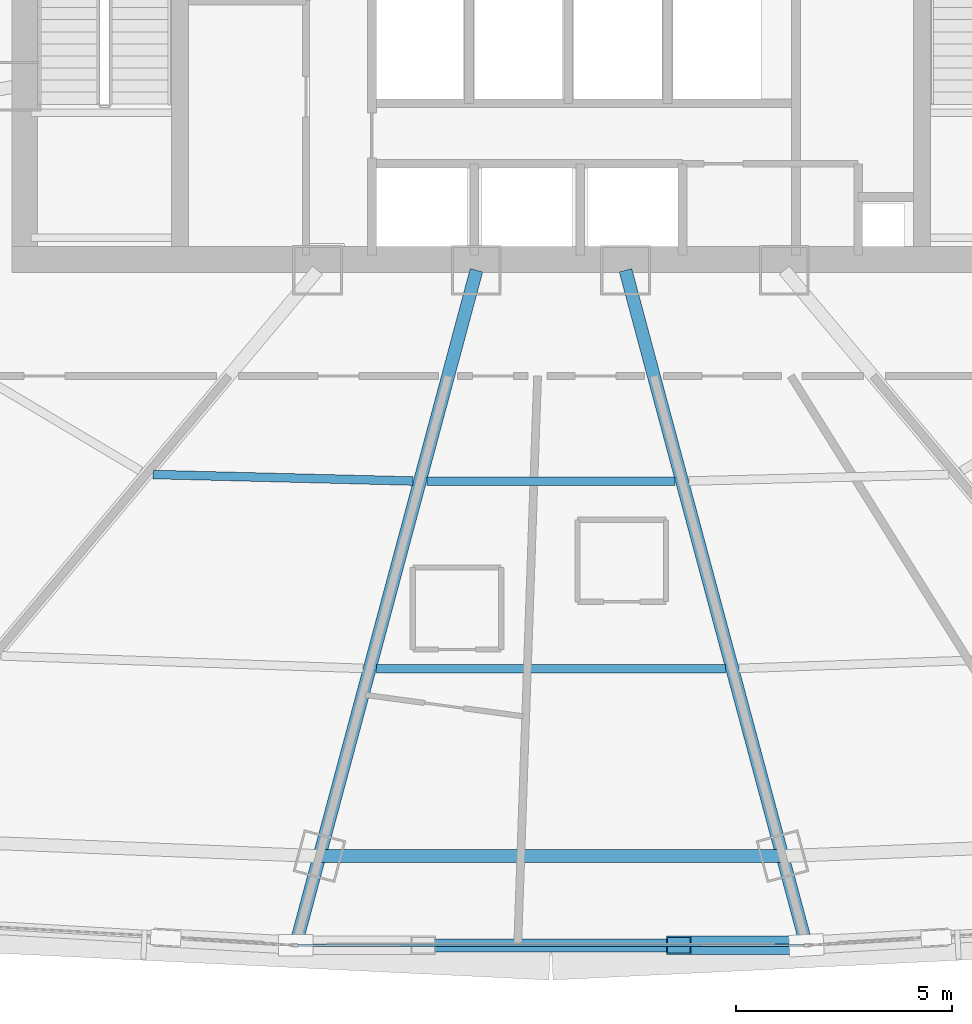
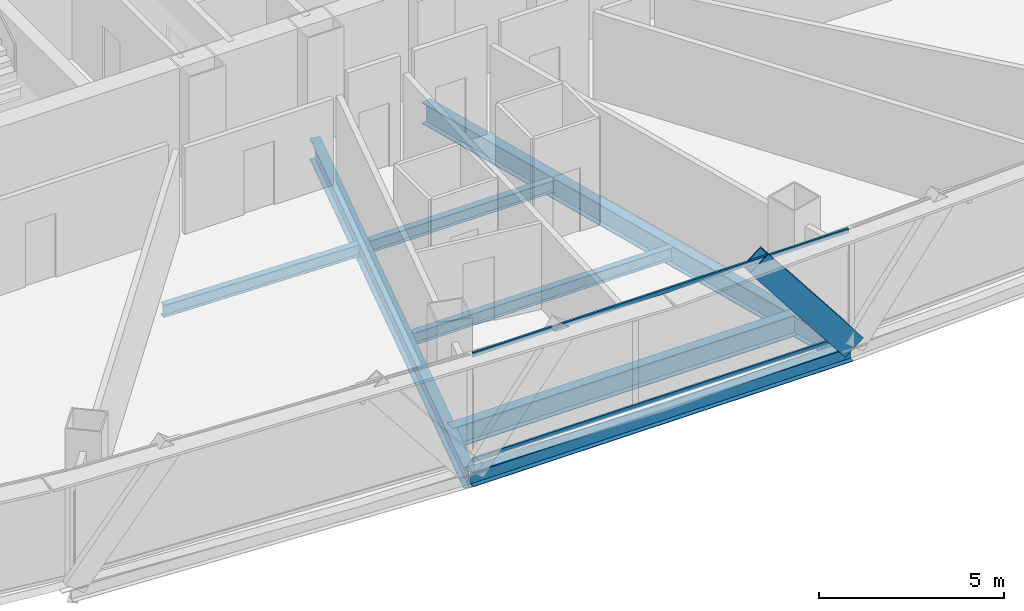
# One storey, part 9 of 38: 7 beams, 3 members, 1 element without a shape of its own.
"""IFC4 building model written with IfcOpenShell, lengths in metres."""

import ifcopenshell
import ifcopenshell.guid

model = None  # the IFC model being written
_history = None  # IfcOwnerHistory: only IFC2X3 demands one
_inside = {}  # id of a spatial element -> (the spatial element, [elements in it])
_under = {}  # id of a project, library or spatial element -> (it, [spatial elements below it])
_declared = {}  # id of a project -> (the project, [libraries it declares])
_typed = {}  # id of a type object -> (the type object, [elements of that type])
_made_of = {}  # id of a material, layer set ... -> (it, [elements and type objects made of it])


def new_model(schema):
    """Start an empty IFC model of exactly this schema.

    Asked for "IFC4X3", IfcOpenShell would pick the latest addendum, in which some entities
    have other attributes; the version numbers below select the first issue.
    IFC2X3 requires an IfcOwnerHistory on every rooted entity: one is made here for all.
    """
    global model, _history
    if schema == "IFC4X3":
        model = ifcopenshell.file(schema_version=(4, 3, 0, 0))
    else:
        model = ifcopenshell.file(schema=schema)
    _inside.clear()
    _under.clear()
    _declared.clear()
    _typed.clear()
    _made_of.clear()
    _history = None
    if model.schema == "IFC2X3":
        org = make("IfcOrganization", Name="unknown")
        user = make(
            "IfcPersonAndOrganization",
            ThePerson=make("IfcPerson", FamilyName="unknown"),
            TheOrganization=org,
        )
        app = make(
            "IfcApplication",
            ApplicationDeveloper=org,
            Version="unknown",
            ApplicationFullName="unknown",
            ApplicationIdentifier="unknown",
        )
        _history = make(
            "IfcOwnerHistory",
            OwningUser=user,
            OwningApplication=app,
            ChangeAction="ADDED",
            CreationDate=0,
        )
    return model


def make(cls, **values):
    """One entity of the class cls with the attributes given. An attribute that is None is left unset."""
    return model.create_entity(
        cls, **{name: value for name, value in values.items() if value is not None}
    )


def rooted(cls, **values):
    """An entity with a GlobalId (a new one), such as an element, a storey or a relation."""
    return make(cls, GlobalId=ifcopenshell.guid.new(), OwnerHistory=_history, **values)


def si_unit(unit_type, name, prefix=None):
    """IfcSIUnit, for example si_unit("LENGTHUNIT", "METRE", prefix="MILLI")."""
    return make("IfcSIUnit", UnitType=unit_type, Prefix=prefix, Name=name)


def assignment(units):
    """IfcUnitAssignment: the units of a project."""
    return None if units is None else make("IfcUnitAssignment", Units=units)


def point(xyz):
    """IfcCartesianPoint."""
    return None if xyz is None else make("IfcCartesianPoint", Coordinates=xyz)


def direction(xyz):
    """IfcDirection."""
    return None if xyz is None else make("IfcDirection", DirectionRatios=xyz)


def frame(location, z_axis=None, x_axis=None):
    """IfcAxis2Placement3D, a coordinate frame: its origin and axes. An axis left out is left unset."""
    return make(
        "IfcAxis2Placement3D",
        Location=point(location),
        Axis=direction(z_axis),
        RefDirection=direction(x_axis),
    )


def frame_2d(location, x_axis=None):
    """IfcAxis2Placement2D, a coordinate frame in the plane: its origin and x axis."""
    return make(
        "IfcAxis2Placement2D", Location=point(location), RefDirection=direction(x_axis)
    )


def origin():
    """The frame at (0, 0, 0) with its axes left unset."""
    return frame((0.0, 0.0, 0.0))


def origin_2d():
    """The frame at (0, 0) in the plane with its x axis left unset."""
    return frame_2d((0.0, 0.0))


def place(relative_to, where):
    """IfcLocalPlacement: puts the frame where relative to a parent placement (None: the world)."""
    return make(
        "IfcLocalPlacement", PlacementRelTo=relative_to, RelativePlacement=where
    )


def context(
    kind, dimensions, precision=None, world=None, true_north=None, identifier=None
):
    """IfcGeometricRepresentationContext, for example the 3D "Model" context."""
    return make(
        "IfcGeometricRepresentationContext",
        ContextIdentifier=identifier,
        ContextType=kind,
        CoordinateSpaceDimension=dimensions,
        Precision=precision,
        WorldCoordinateSystem=world,
        TrueNorth=true_north,
    )


def subcontext(parent, identifier, kind, view, scale=None):
    """IfcGeometricRepresentationSubContext, for example "Body" below "Model"."""
    return make(
        "IfcGeometricRepresentationSubContext",
        ContextIdentifier=identifier,
        ContextType=kind,
        ParentContext=parent,
        TargetScale=scale,
        TargetView=view,
    )


def project(units=None, contexts=None):
    """IfcProject with its units and contexts."""
    return rooted(
        "IfcProject",
        Name="project",
        RepresentationContexts=contexts,
        UnitsInContext=assignment(units),
    )


def spatial(cls, under=None, at=None, **own):
    """A site, building, storey or space (cls), placed at a placement, below another one or the project."""
    s = rooted(cls, ObjectPlacement=at, **own)
    if under is not None:
        _under.setdefault(under.id(), (under, []))[1].append(s)
    return s


def profile(cls, at=None, kind="AREA", **sizes):
    """A parametric profile (cls). Its sizes go by their IFC names, for example OverallWidth=200.0."""
    return make(cls, ProfileType=kind, Position=at, **sizes)


def hollow_rectangle(**sizes):
    """IfcRectangleHollowProfileDef."""
    return profile("IfcRectangleHollowProfileDef", **sizes)


def i_section(**sizes):
    """IfcIShapeProfileDef."""
    return profile("IfcIShapeProfileDef", **sizes)


def extrude(swept, where, along, depth):
    """IfcExtrudedAreaSolid: the profile swept, set in the frame where, extruded along a direction by depth."""
    return make(
        "IfcExtrudedAreaSolid",
        SweptArea=swept,
        Position=where,
        ExtrudedDirection=direction(along),
        Depth=depth,
    )


def shape(context_of_items, identifier, shape_type, items):
    """IfcShapeRepresentation: the items that make up one representation, for example the "Body"."""
    return make(
        "IfcShapeRepresentation",
        ContextOfItems=context_of_items,
        RepresentationIdentifier=identifier,
        RepresentationType=shape_type,
        Items=items,
    )


def source(mapping_origin, context_of_items, identifier, shape_type, items):
    """IfcRepresentationMap: a shape defined once, which mapped items show again and again."""
    return make(
        "IfcRepresentationMap",
        MappingOrigin=mapping_origin,
        MappedRepresentation=shape(context_of_items, identifier, shape_type, items),
    )


def transform(
    local_origin,
    x_axis=None,
    y_axis=None,
    z_axis=None,
    scale=None,
    scale2=None,
    scale3=None,
    uniform=True,
):
    """IfcCartesianTransformationOperator3D, or its non-uniform kind. x_axis, y_axis, z_axis: its Axis1, 2, 3."""
    if uniform:
        return make(
            "IfcCartesianTransformationOperator3D",
            Axis1=direction(x_axis),
            Axis2=direction(y_axis),
            LocalOrigin=point(local_origin),
            Scale=scale,
            Axis3=direction(z_axis),
        )
    return make(
        "IfcCartesianTransformationOperator3DnonUniform",
        Axis1=direction(x_axis),
        Axis2=direction(y_axis),
        LocalOrigin=point(local_origin),
        Scale=scale,
        Axis3=direction(z_axis),
        Scale2=scale2,
        Scale3=scale3,
    )


def mapped(mapping_source, mapping_target):
    """IfcMappedItem: shows the shape of a source again, moved by a transform."""
    return make(
        "IfcMappedItem", MappingSource=mapping_source, MappingTarget=mapping_target
    )


def material(Name=None, Category=None):
    """IfcMaterial."""
    return make("IfcMaterial", Name=Name, Category=Category)


def layer(
    of_material, thickness, ventilated=None, Name=None, Category=None, Priority=None
):
    """IfcMaterialLayer: one layer of a wall or slab, of a material (None: an air gap)."""
    return make(
        "IfcMaterialLayer",
        Material=of_material,
        LayerThickness=thickness,
        IsVentilated=ventilated,
        Name=Name,
        Category=Category,
        Priority=Priority,
    )


def layer_set(layers, Name=None):
    """IfcMaterialLayerSet."""
    return make("IfcMaterialLayerSet", MaterialLayers=layers, LayerSetName=Name)


def material_profile(
    of_material, cross_section, Name=None, Category=None, Priority=None
):
    """IfcMaterialProfile: a cross section and its material."""
    return make(
        "IfcMaterialProfile",
        Name=Name,
        Material=of_material,
        Profile=cross_section,
        Priority=Priority,
        Category=Category,
    )


def profile_set(profiles, Name=None, composite=None):
    """IfcMaterialProfileSet."""
    return make(
        "IfcMaterialProfileSet",
        Name=Name,
        MaterialProfiles=profiles,
        CompositeProfile=composite,
    )


def made_of(thing, what):
    """Note that an element or type object is made of a material, layer set ...; save() writes the relation."""
    if what is not None:
        _made_of.setdefault(what.id(), (what, []))[1].append(thing)
    return thing


def type_object(cls, material=None, **own):
    """A type object (cls), such as IfcWallType, which elements share."""
    return made_of(rooted(cls, **own), material)


def element(
    cls,
    number,
    at=None,
    inside=None,
    cuts=None,
    type_object=None,
    material=None,
    context=None,
    identifier="Body",
    shape_type=None,
    held_by="IfcProductDefinitionShape",
    body=None,
    shapes=None,
    **own,
):
    """One element of the class cls, such as IfcWall. Its Tag is "e" and its number.

    at: its placement. inside: the storey or other place that contains it. cuts: it is an
    opening in that element (IfcRelVoidsElement). A single representation is given by context,
    identifier, shape_type and body (its items); several are given by shapes. held_by: the class
    of the entity that holds the representations. save() writes the other relations.
    """
    e = rooted(cls, Tag="e%d" % number, ObjectPlacement=at, **own)
    if body is not None:
        shapes = [shape(context, identifier, shape_type, body)]
    if shapes is not None:
        e.Representation = make(held_by, Representations=shapes)
    if inside is not None:
        _inside.setdefault(inside.id(), (inside, []))[1].append(e)
    if cuts is not None:
        rooted(
            "IfcRelVoidsElement", RelatingBuildingElement=cuts, RelatedOpeningElement=e
        )
    if type_object is not None:
        _typed.setdefault(type_object.id(), (type_object, []))[1].append(e)
    return made_of(e, material)


def aggregate(whole, parts):
    """IfcRelAggregates: a whole, such as a stair, and the parts it consists of."""
    return rooted("IfcRelAggregates", RelatingObject=whole, RelatedObjects=parts)


def save(model, path):
    """Write the relations noted so far, then the file.

    IfcRelAggregates (storeys below a building ...), IfcRelContainedInSpatialStructure (elements
    in a storey), IfcRelDefinesByType, IfcRelAssociatesMaterial and IfcRelDeclares: one each for
    every whole, place, type object, material and project.
    """
    for whole, parts in _under.values():
        aggregate(whole, parts)
    for where, things in _inside.values():
        rooted(
            "IfcRelContainedInSpatialStructure",
            RelatedElements=things,
            RelatingStructure=where,
        )
    for kind, things in _typed.values():
        rooted("IfcRelDefinesByType", RelatedObjects=things, RelatingType=kind)
    for what, things in _made_of.values():
        rooted("IfcRelAssociatesMaterial", RelatedObjects=things, RelatingMaterial=what)
    for by, libraries in _declared.values():
        rooted("IfcRelDeclares", RelatingContext=by, RelatedDefinitions=libraries)
    model.write(path)


model = new_model("IFC4")

# Units and contexts
model_context = context("Model", 3, precision=1e-05, world=origin(), true_north=direction((0.0, 1.0)))
body_context = subcontext(model_context, "Body", "Model", "MODEL_VIEW")
ifc_project = project(units=[si_unit("LENGTHUNIT", "METRE"), si_unit("AREAUNIT", "SQUARE_METRE"), si_unit("VOLUMEUNIT", "CUBIC_METRE"), si_unit("PLANEANGLEUNIT", "RADIAN"), si_unit("MASSUNIT", "GRAM", prefix="KILO"), si_unit("THERMODYNAMICTEMPERATUREUNIT", "KELVIN"), si_unit("POWERUNIT", "WATT")], contexts=[model_context])

# Site, building, storey
site_placement = place(None, origin())
site = spatial("IfcSite", under=ifc_project, at=site_placement, CompositionType="ELEMENT")
building_placement = place(site_placement, origin())
building = spatial("IfcBuilding", under=site, at=building_placement, Name="Yunzhuo Pagoda Commons", CompositionType="ELEMENT")
storey_placement = place(building_placement, frame((0.0, 0.0, 81.179931640625)))
storey = spatial("IfcBuildingStorey", under=building, at=storey_placement, Name="L20", CompositionType="ELEMENT", Elevation=81.179931640625)

# Beams
ifc_material_1 = material(Name="Structural steel Q355B", Category="steel")
ifc_material_profile_1 = material_profile(ifc_material_1, i_section(OverallWidth=0.300048828125, OverallDepth=0.488037109375, WebThickness=0.010986328125, FlangeThickness=0.01806640625, at=origin_2d()), Name="Structural steel Q355B")
ifc_profile_set_1 = profile_set([ifc_material_profile_1], Name="Structural steel Q355B")
beam_type_1 = type_object("IfcBeamType", Name="B-SP1 Beam HM 488x300x11x18", PredefinedType="BEAM", material=ifc_profile_set_1)
shared_shape_1 = source(origin(), body_context, "Body", "SweptSolid", [
    extrude(i_section(OverallWidth=0.300048828125, OverallDepth=0.488037109375, WebThickness=0.010986328125, FlangeThickness=0.01806640625, at=origin_2d()), origin(), (0.0, 0.0, 1.0), 11.8427734375),
])
beam_1_placement = place(storey_placement, frame((42.07861328125, 11.60107421875, -0.50390625), z_axis=(1.0, 0.0, 0.0), x_axis=(0.0, 1.0, 0.0)))
element("IfcBeam", 1, at=beam_1_placement, inside=storey, type_object=beam_type_1, Name="L20 facade edge spandrel beam F1.2", PredefinedType="BEAM", context=body_context, shape_type="MappedRepresentation", body=[
    mapped(shared_shape_1, transform((0.0, 0.0, 0.0), scale=1.0)),
])
ifc_material_profile_2 = material_profile(ifc_material_1, i_section(OverallWidth=0.300048828125, OverallDepth=0.699951171875, WebThickness=0.012939453125, FlangeThickness=0.02392578125, at=origin_2d()), Name="Structural steel Q355B")
ifc_profile_set_2 = profile_set([ifc_material_profile_2], Name="Structural steel Q355B")
beam_type_2 = type_object("IfcBeamType", Name="B-RG1 Beam HN 700x300x13x24", PredefinedType="BEAM", material=ifc_profile_set_2)
shared_shape_2 = source(origin(), body_context, "Body", "SweptSolid", [
    extrude(i_section(OverallWidth=0.300048828125, OverallDepth=0.699951171875, WebThickness=0.012939453125, FlangeThickness=0.02392578125, at=origin_2d()), origin(), (0.0, 0.0, 1.0), 10.73486328125),
])
beam_2_placement = place(storey_placement, frame((42.632568359375, 13.66845703125, -0.60986328125), z_axis=(1.0, 0.0, 0.0), x_axis=(0.0, 1.0, 0.0)))
element("IfcBeam", 2, at=beam_2_placement, inside=storey, type_object=beam_type_2, Name="L20 column-ring beam 2", PredefinedType="BEAM", context=body_context, shape_type="MappedRepresentation", body=[
    mapped(shared_shape_2, transform((0.0, 0.0, 0.0), scale=1.0)),
])
shared_shape_3 = source(origin(), body_context, "Body", "SweptSolid", [
    extrude(i_section(OverallWidth=0.300048828125, OverallDepth=0.699951171875, WebThickness=0.012939453125, FlangeThickness=0.02392578125, at=origin_2d()), origin(), (0.0, 0.0, 1.0), 16.046142578125),
])
beam_3_placement = place(storey_placement, frame((42.11865234375, 11.750732421875, -0.60986328125), z_axis=(0.258836726118, 0.965921088502, 0.0), x_axis=(-0.965921088502, 0.258836726118, 0.0)))
element("IfcBeam", 3, at=beam_3_placement, inside=storey, type_object=beam_type_2, Name="L20 radial floor girder F1C2", PredefinedType="BEAM", context=body_context, shape_type="MappedRepresentation", body=[
    mapped(shared_shape_3, transform((0.0, 0.0, 0.0), scale=1.0)),
])
shared_shape_4 = source(origin(), body_context, "Body", "SweptSolid", [
    extrude(i_section(OverallWidth=0.300048828125, OverallDepth=0.699951171875, WebThickness=0.012939453125, FlangeThickness=0.02392578125, at=origin_2d()), origin(), (0.0, 0.0, 1.0), 16.0458984375),
])
beam_4_placement = place(storey_placement, frame((53.88134765625, 11.750732421875, -0.60986328125), z_axis=(-0.258808334578, 0.965928696102, 0.0), x_axis=(-0.965928696102, -0.258808334578, 0.0)))
element("IfcBeam", 4, at=beam_4_placement, inside=storey, type_object=beam_type_2, Name="L20 radial floor girder F1C3", PredefinedType="BEAM", context=body_context, shape_type="MappedRepresentation", body=[
    mapped(shared_shape_4, transform((0.0, 0.0, 0.0), scale=1.0)),
])
ifc_material_profile_3 = material_profile(ifc_material_1, i_section(OverallWidth=0.199951171875, OverallDepth=0.39990234375, WebThickness=0.008056640625, FlangeThickness=0.012939453125, at=origin_2d()), Name="Structural steel Q355B")
ifc_profile_set_3 = profile_set([ifc_material_profile_3], Name="Structural steel Q355B")
beam_type_3 = type_object("IfcBeamType", Name="B-JS1 Joist HN 400x200x8x13", PredefinedType="JOIST", material=ifc_profile_set_3)
shared_shape_5 = source(origin(), body_context, "Body", "SweptSolid", [
    extrude(i_section(OverallWidth=0.199951171875, OverallDepth=0.39990234375, WebThickness=0.008056640625, FlangeThickness=0.012939453125, at=origin_2d()), origin(), (0.0, 0.0, 1.0), 6.026611328125),
])
beam_5_placement = place(storey_placement, frame((38.778076171875, 22.516357421875, -0.4599609375), z_axis=(0.99968248871, -0.025197654009, 0.0), x_axis=(0.025197654009, 0.99968248871, 0.0)))
element("IfcBeam", 5, at=beam_5_placement, inside=storey, type_object=beam_type_3, Name="L20 composite ring joist 1.1", PredefinedType="JOIST", context=body_context, shape_type="MappedRepresentation", body=[
    mapped(shared_shape_5, transform((0.0, 0.0, 0.0), scale=1.0)),
])
shared_shape_6 = source(origin(), body_context, "Body", "SweptSolid", [
    extrude(i_section(OverallWidth=0.199951171875, OverallDepth=0.39990234375, WebThickness=0.008056640625, FlangeThickness=0.012939453125, at=origin_2d()), origin(), (0.0, 0.0, 1.0), 5.7587890625),
])
beam_6_placement = place(storey_placement, frame((45.120849609375, 22.360595703125, -0.4599609375), z_axis=(1.0, 0.0, 0.0), x_axis=(0.0, 1.0, 0.0)))
element("IfcBeam", 6, at=beam_6_placement, inside=storey, type_object=beam_type_3, Name="L20 composite ring joist 1.2", PredefinedType="JOIST", context=body_context, shape_type="MappedRepresentation", body=[
    mapped(shared_shape_6, transform((0.0, 0.0, 0.0), scale=1.0)),
])
shared_shape_7 = source(origin(), body_context, "Body", "SweptSolid", [
    extrude(i_section(OverallWidth=0.199951171875, OverallDepth=0.39990234375, WebThickness=0.008056640625, FlangeThickness=0.012939453125, at=origin_2d()), origin(), (0.0, 0.0, 1.0), 8.087890625),
])
beam_7_placement = place(storey_placement, frame((43.9560546875, 18.014404296875, -0.4599609375), z_axis=(1.0, 0.0, 0.0), x_axis=(0.0, 1.0, 0.0)))
element("IfcBeam", 7, at=beam_7_placement, inside=storey, type_object=beam_type_3, Name="L20 composite ring joist 2.2", PredefinedType="JOIST", context=body_context, shape_type="MappedRepresentation", body=[
    mapped(shared_shape_7, transform((0.0, 0.0, 0.0), scale=1.0)),
])

# Member
ifc_material_2 = material(Name="Structural steel Q420B", Category="steel")
ifc_material_profile_4 = material_profile(ifc_material_2, hollow_rectangle(XDim=0.419921875, YDim=0.719970703125, WallThickness=0.028076171875, at=origin_2d()), Name="Structural steel Q420B")
ifc_profile_set_4 = profile_set([ifc_material_profile_4], Name="Structural steel Q420B")
member_type_1 = type_object("IfcMemberType", Name="M-DL1 Brace BOX 720x420x28", PredefinedType="BRACE", material=ifc_profile_set_4)
shared_shape_8 = source(origin(), body_context, "Body", "SweptSolid", [
    extrude(hollow_rectangle(XDim=0.419921875, YDim=0.719970703125, WallThickness=0.028076171875, at=origin_2d()), origin(), (0.0, 0.0, 1.0), 4.8173828125),
])
member_1_placement = place(storey_placement, frame((53.92138671875, 11.60107421875, -0.260009765625), z_axis=(-0.614600022777, 0.0, 0.788838901172), x_axis=(0.0, -1.0, 0.0)))
element("IfcMember", 8, at=member_1_placement, inside=storey, type_object=member_type_1, Name="L20 facade diamond brace F1.2R", PredefinedType="BRACE", context=body_context, shape_type="MappedRepresentation", body=[
    mapped(shared_shape_8, transform((0.0, 0.0, 0.0), scale=1.0)),
])

# Curtain wall, members
ifc_material_3 = material(Name="Anodized aluminium 6063-T6", Category="aluminium")
ifc_layer = layer(ifc_material_3, 0.1650390625)
ifc_layer_set = layer_set([ifc_layer], Name="Anodized aluminium 6063-T6")
curtain_wall_type = type_object("IfcCurtainWallType", Name="CW-LOW Low-Zone Ribbon Curtain Wall", PredefinedType="NOTDEFINED", material=ifc_layer_set)
curtain_wall_placement = place(storey_placement, origin())
curtain_wall = element("IfcCurtainWall", 9, at=curtain_wall_placement, inside=storey, type_object=curtain_wall_type, Name="L20 curtain wall CW-L20-F1B3", PredefinedType="NOTDEFINED")
ifc_material_profile_5 = material_profile(ifc_material_3, hollow_rectangle(XDim=0.06005859375, YDim=0.139892578125, WallThickness=0.00341796875, at=origin_2d()), Name="Anodized aluminium 6063-T6")
ifc_profile_set_5 = profile_set([ifc_material_profile_5], Name="Anodized aluminium 6063-T6")
member_type_2 = type_object("IfcMemberType", Name="CW-LOW-T Transom RHS 140x60x3.5", PredefinedType="USERDEFINED", material=ifc_profile_set_5)
shared_shape_9 = source(origin(), body_context, "Body", "SweptSolid", [
    extrude(hollow_rectangle(XDim=0.06005859375, YDim=0.139892578125, WallThickness=0.00341796875, at=origin_2d()), origin(), (0.0, 0.0, 1.0), 11.712890625),
])
member_2_placement = place(storey_placement, frame((42.1435546875, 11.60107421875, 0.030029296875), z_axis=(1.0, 0.0, 0.0), x_axis=(0.0, 1.0, 0.0)))
member_2 = element("IfcMember", 10, at=member_2_placement, type_object=member_type_2, Name="CW transom 1.1", ObjectType="TRANSOM", PredefinedType="USERDEFINED", context=body_context, shape_type="MappedRepresentation", body=[
    mapped(shared_shape_9, transform((0.0, 0.0, 0.0), scale=1.0)),
])
member_3_placement = place(storey_placement, frame((42.1435546875, 11.60107421875, 3.510009765625), z_axis=(1.0, 0.0, 0.0), x_axis=(0.0, 1.0, 0.0)))
member_3 = element("IfcMember", 11, at=member_3_placement, type_object=member_type_2, Name="CW transom 1.2", ObjectType="TRANSOM", PredefinedType="USERDEFINED", context=body_context, shape_type="MappedRepresentation", body=[
    mapped(shared_shape_9, transform((0.0, 0.0, 0.0), scale=1.0)),
])
aggregate(curtain_wall, [member_2, member_3])

save(model, "model.ifc")
